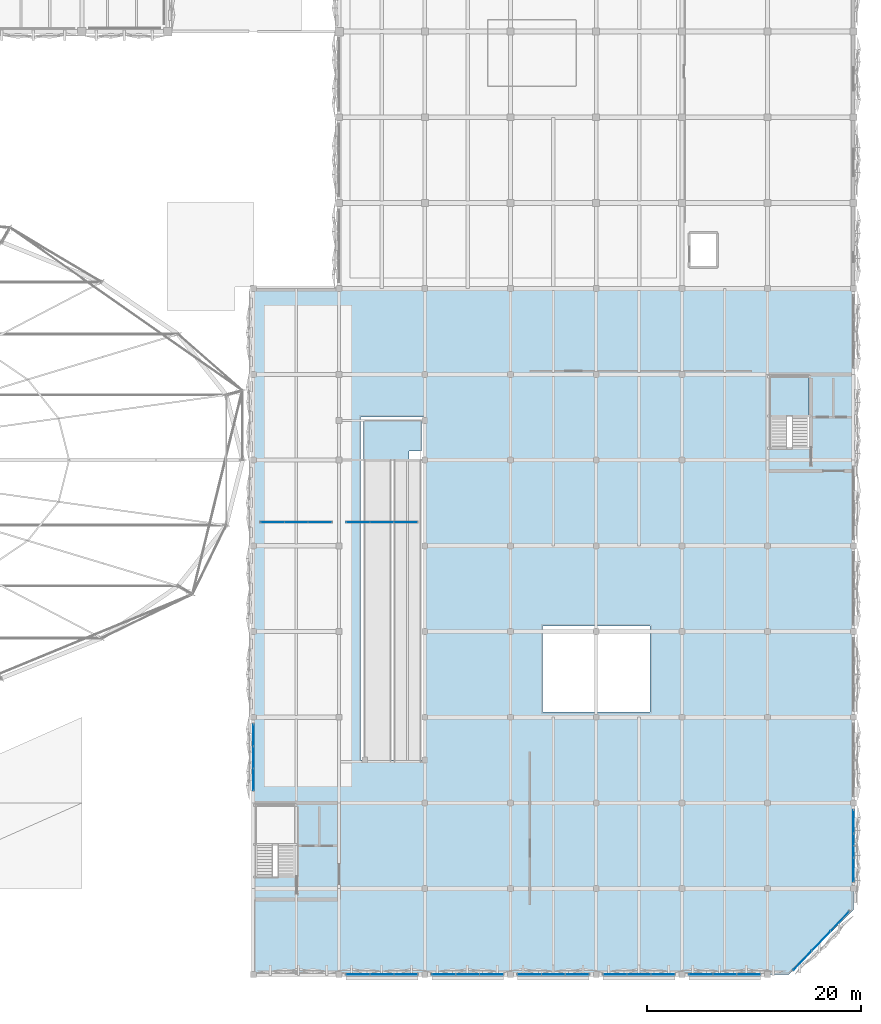
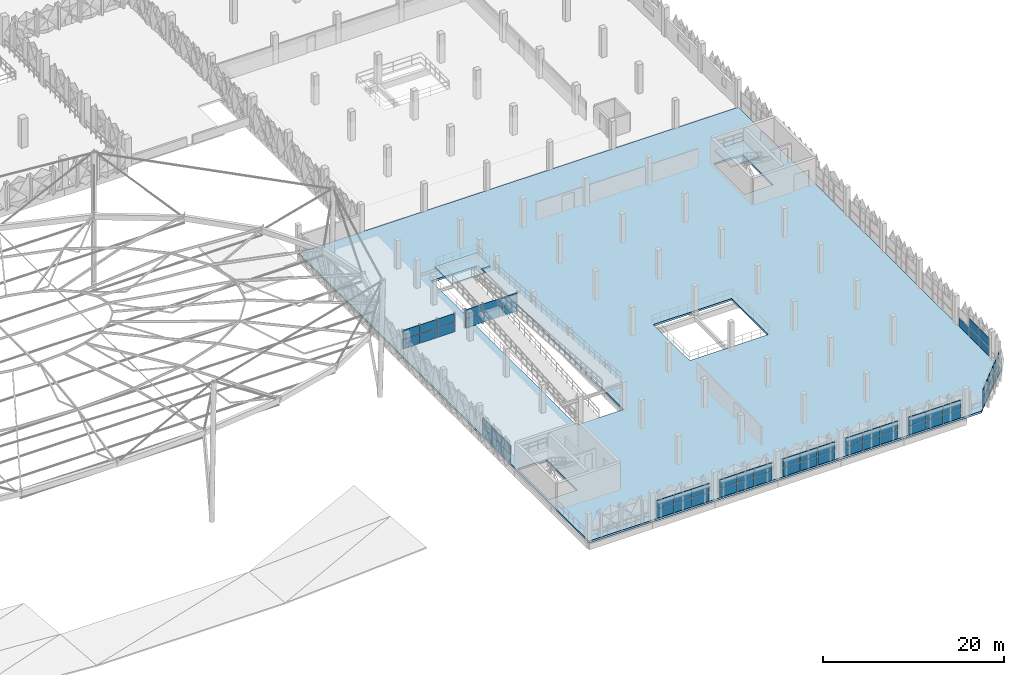
# One storey, part 38 of 96: 59 plates, 3 slabs, 12 elements without a shape of their own.
"""IFC4 building model written with IfcOpenShell, lengths in metres."""

from ifc_helpers import new_model, si_unit, derived_unit, direction, frame, origin, origin_2d, place, context, subcontext, project, spatial, polyline, rectangle, outline, extrude, material, layer, layer_set, type_object, element, aggregate, save


model = new_model("IFC4")

# Units and contexts
model_context = context("Model", 3, precision=1e-05, world=origin(), true_north=direction((0.0, 1.0)))
body_context = subcontext(model_context, "Body", "Model", "MODEL_VIEW")
ifc_project = project(units=[si_unit("LENGTHUNIT", "METRE"), si_unit("AREAUNIT", "SQUARE_METRE"), si_unit("VOLUMEUNIT", "CUBIC_METRE"), si_unit("PLANEANGLEUNIT", "RADIAN"), si_unit("MASSUNIT", "GRAM", prefix="KILO"), si_unit("THERMODYNAMICTEMPERATUREUNIT", "KELVIN"), derived_unit("THERMALTRANSMITTANCEUNIT", [(si_unit("POWERUNIT", "WATT"), 1), (si_unit("AREAUNIT", "SQUARE_METRE"), -1), (si_unit("THERMODYNAMICTEMPERATUREUNIT", "KELVIN"), -1)])], contexts=[model_context])

# Site, building, storey
site_placement = place(None, origin())
site = spatial("IfcSite", under=ifc_project, at=site_placement, CompositionType="ELEMENT")
building_placement = place(site_placement, origin())
building = spatial("IfcBuilding", under=site, at=building_placement, Name="Haiyu Intermodal Mobility Hub", CompositionType="ELEMENT")
storey_placement = place(building_placement, frame((0.0, 0.0, 9.5)))
storey = spatial("IfcBuildingStorey", under=building, at=storey_placement, Name="L02", CompositionType="ELEMENT", Elevation=9.5)

# Curtain wall, plates
ifc_material_1 = material(Name="Low-e laminated insulating glass", Category="glass")
ifc_layer_1 = layer(ifc_material_1, 0.2099609375)
ifc_layer_set_1 = layer_set([ifc_layer_1], Name="Low-e laminated insulating glass")
curtain_wall_type_1 = type_object("IfcCurtainWallType", Name="CW-CW04", PredefinedType="NOTDEFINED", material=ifc_layer_set_1)
curtain_wall_1_placement = place(storey_placement, origin())
curtain_wall_1 = element("IfcCurtainWall", 1, at=curtain_wall_1_placement, inside=storey, type_object=curtain_wall_type_1, Name="Curtain Wall CW-V5S-L02-106", PredefinedType="NOTDEFINED")
ifc_material_2 = material(Name="Anodised aluminium 6063-T6", Category="aluminium")
ifc_layer_2 = layer(ifc_material_2, 0.0419921875)
ifc_layer_set_2 = layer_set([ifc_layer_2], Name="Anodised aluminium 6063-T6")
plate_type_1 = type_object("IfcPlateType", Name="PLT-CP02", PredefinedType="CURTAIN_PANEL", material=ifc_layer_set_2)
plate_1_placement = place(storey_placement, frame((163.77294921875, 16.0, 0.03515625), z_axis=(0.0, 0.0, 1.0), x_axis=(1.0, 0.0, 0.0)))
plate_1 = element("IfcPlate", 2, at=plate_1_placement, type_object=plate_type_1, Name="CW-V5S-L02-106-PN01", PredefinedType="CURTAIN_PANEL", context=body_context, shape_type="SweptSolid", body=[
    extrude(rectangle(XDim=2.136962890625, YDim=0.0419921875, at=origin_2d()), origin(), (0.0, 0.0, 1.0), 1.169921875),
])
plate_2_placement = place(storey_placement, frame((166.0, 16.0, 0.03515625), z_axis=(0.0, 0.0, 1.0), x_axis=(1.0, 0.0, 0.0)))
plate_2 = element("IfcPlate", 3, at=plate_2_placement, type_object=plate_type_1, Name="CW-V5S-L02-106-PN03", PredefinedType="CURTAIN_PANEL", context=body_context, shape_type="SweptSolid", body=[
    extrude(rectangle(XDim=2.136962890625, YDim=0.0419921875, at=origin_2d()), origin(), (0.0, 0.0, 1.0), 1.169921875),
])
plate_3_placement = place(storey_placement, frame((168.22705078125, 16.0, 0.03515625), z_axis=(0.0, 0.0, 1.0), x_axis=(1.0, 0.0, 0.0)))
plate_3 = element("IfcPlate", 4, at=plate_3_placement, type_object=plate_type_1, Name="CW-V5S-L02-106-PN05", PredefinedType="CURTAIN_PANEL", context=body_context, shape_type="SweptSolid", body=[
    extrude(rectangle(XDim=2.136962890625, YDim=0.0419921875, at=origin_2d()), origin(), (0.0, 0.0, 1.0), 1.169921875),
])

curtain_wall_2_placement = place(storey_placement, origin())
curtain_wall_2 = element("IfcCurtainWall", 5, at=curtain_wall_2_placement, inside=storey, type_object=curtain_wall_type_1, Name="Curtain Wall CW-V5S-L02-107", PredefinedType="NOTDEFINED")
plate_4_placement = place(storey_placement, frame((171.77294921875, 16.0, 0.03515625), z_axis=(0.0, 0.0, 1.0), x_axis=(1.0, 0.0, 0.0)))
plate_4 = element("IfcPlate", 6, at=plate_4_placement, type_object=plate_type_1, Name="CW-V5S-L02-107-PN01", PredefinedType="CURTAIN_PANEL", context=body_context, shape_type="SweptSolid", body=[
    extrude(rectangle(XDim=2.136962890625, YDim=0.0419921875, at=origin_2d()), origin(), (0.0, 0.0, 1.0), 1.169921875),
])
plate_5_placement = place(storey_placement, frame((174.0, 16.0, 0.03515625), z_axis=(0.0, 0.0, 1.0), x_axis=(1.0, 0.0, 0.0)))
plate_5 = element("IfcPlate", 7, at=plate_5_placement, type_object=plate_type_1, Name="CW-V5S-L02-107-PN03", PredefinedType="CURTAIN_PANEL", context=body_context, shape_type="SweptSolid", body=[
    extrude(rectangle(XDim=2.136962890625, YDim=0.0419921875, at=origin_2d()), origin(), (0.0, 0.0, 1.0), 1.169921875),
])
plate_6_placement = place(storey_placement, frame((176.22705078125, 16.0, 0.03515625), z_axis=(0.0, 0.0, 1.0), x_axis=(1.0, 0.0, 0.0)))
plate_6 = element("IfcPlate", 8, at=plate_6_placement, type_object=plate_type_1, Name="CW-V5S-L02-107-PN05", PredefinedType="CURTAIN_PANEL", context=body_context, shape_type="SweptSolid", body=[
    extrude(rectangle(XDim=2.136962890625, YDim=0.0419921875, at=origin_2d()), origin(), (0.0, 0.0, 1.0), 1.169921875),
])

curtain_wall_3_placement = place(storey_placement, origin())
curtain_wall_3 = element("IfcCurtainWall", 9, at=curtain_wall_3_placement, inside=storey, type_object=curtain_wall_type_1, Name="Curtain Wall CW-V5S-L02-108", PredefinedType="NOTDEFINED")
plate_7_placement = place(storey_placement, frame((179.77294921875, 16.0, 0.03515625), z_axis=(0.0, 0.0, 1.0), x_axis=(1.0, 0.0, 0.0)))
plate_7 = element("IfcPlate", 10, at=plate_7_placement, type_object=plate_type_1, Name="CW-V5S-L02-108-PN01", PredefinedType="CURTAIN_PANEL", context=body_context, shape_type="SweptSolid", body=[
    extrude(rectangle(XDim=2.136962890625, YDim=0.0419921875, at=origin_2d()), origin(), (0.0, 0.0, 1.0), 1.169921875),
])
plate_8_placement = place(storey_placement, frame((182.0, 16.0, 0.03515625), z_axis=(0.0, 0.0, 1.0), x_axis=(1.0, 0.0, 0.0)))
plate_8 = element("IfcPlate", 11, at=plate_8_placement, type_object=plate_type_1, Name="CW-V5S-L02-108-PN03", PredefinedType="CURTAIN_PANEL", context=body_context, shape_type="SweptSolid", body=[
    extrude(rectangle(XDim=2.136962890625, YDim=0.0419921875, at=origin_2d()), origin(), (0.0, 0.0, 1.0), 1.169921875),
])
plate_9_placement = place(storey_placement, frame((184.22705078125, 16.0, 0.03515625), z_axis=(0.0, 0.0, 1.0), x_axis=(1.0, 0.0, 0.0)))
plate_9 = element("IfcPlate", 12, at=plate_9_placement, type_object=plate_type_1, Name="CW-V5S-L02-108-PN05", PredefinedType="CURTAIN_PANEL", context=body_context, shape_type="SweptSolid", body=[
    extrude(rectangle(XDim=2.136962890625, YDim=0.0419921875, at=origin_2d()), origin(), (0.0, 0.0, 1.0), 1.169921875),
])

curtain_wall_4_placement = place(storey_placement, origin())
curtain_wall_4 = element("IfcCurtainWall", 13, at=curtain_wall_4_placement, inside=storey, type_object=curtain_wall_type_1, Name="Curtain Wall CW-V5S-L02-109", PredefinedType="NOTDEFINED")
plate_10_placement = place(storey_placement, frame((187.77294921875, 16.0, 0.03515625), z_axis=(0.0, 0.0, 1.0), x_axis=(1.0, 0.0, 0.0)))
plate_10 = element("IfcPlate", 14, at=plate_10_placement, type_object=plate_type_1, Name="CW-V5S-L02-109-PN01", PredefinedType="CURTAIN_PANEL", context=body_context, shape_type="SweptSolid", body=[
    extrude(rectangle(XDim=2.136962890625, YDim=0.0419921875, at=origin_2d()), origin(), (0.0, 0.0, 1.0), 1.169921875),
])
plate_11_placement = place(storey_placement, frame((190.0, 16.0, 0.03515625), z_axis=(0.0, 0.0, 1.0), x_axis=(1.0, 0.0, 0.0)))
plate_11 = element("IfcPlate", 15, at=plate_11_placement, type_object=plate_type_1, Name="CW-V5S-L02-109-PN03", PredefinedType="CURTAIN_PANEL", context=body_context, shape_type="SweptSolid", body=[
    extrude(rectangle(XDim=2.136962890625, YDim=0.0419921875, at=origin_2d()), origin(), (0.0, 0.0, 1.0), 1.169921875),
])
plate_12_placement = place(storey_placement, frame((192.22705078125, 16.0, 0.03515625), z_axis=(0.0, 0.0, 1.0), x_axis=(1.0, 0.0, 0.0)))
plate_12 = element("IfcPlate", 16, at=plate_12_placement, type_object=plate_type_1, Name="CW-V5S-L02-109-PN05", PredefinedType="CURTAIN_PANEL", context=body_context, shape_type="SweptSolid", body=[
    extrude(rectangle(XDim=2.136962890625, YDim=0.0419921875, at=origin_2d()), origin(), (0.0, 0.0, 1.0), 1.169921875),
])

curtain_wall_5_placement = place(storey_placement, origin())
curtain_wall_5 = element("IfcCurtainWall", 17, at=curtain_wall_5_placement, inside=storey, type_object=curtain_wall_type_1, Name="Curtain Wall CW-V5S-L02-110", PredefinedType="NOTDEFINED")
plate_13_placement = place(storey_placement, frame((195.77294921875, 16.0, 0.03515625), z_axis=(0.0, 0.0, 1.0), x_axis=(1.0, 0.0, 0.0)))
plate_13 = element("IfcPlate", 18, at=plate_13_placement, type_object=plate_type_1, Name="CW-V5S-L02-110-PN01", PredefinedType="CURTAIN_PANEL", context=body_context, shape_type="SweptSolid", body=[
    extrude(rectangle(XDim=2.136962890625, YDim=0.0419921875, at=origin_2d()), origin(), (0.0, 0.0, 1.0), 1.169921875),
])
plate_14_placement = place(storey_placement, frame((198.0, 16.0, 0.03515625), z_axis=(0.0, 0.0, 1.0), x_axis=(1.0, 0.0, 0.0)))
plate_14 = element("IfcPlate", 19, at=plate_14_placement, type_object=plate_type_1, Name="CW-V5S-L02-110-PN03", PredefinedType="CURTAIN_PANEL", context=body_context, shape_type="SweptSolid", body=[
    extrude(rectangle(XDim=2.136962890625, YDim=0.0419921875, at=origin_2d()), origin(), (0.0, 0.0, 1.0), 1.169921875),
])
plate_15_placement = place(storey_placement, frame((200.22705078125, 16.0, 0.03515625), z_axis=(0.0, 0.0, 1.0), x_axis=(1.0, 0.0, 0.0)))
plate_15 = element("IfcPlate", 20, at=plate_15_placement, type_object=plate_type_1, Name="CW-V5S-L02-110-PN05", PredefinedType="CURTAIN_PANEL", context=body_context, shape_type="SweptSolid", body=[
    extrude(rectangle(XDim=2.136962890625, YDim=0.0419921875, at=origin_2d()), origin(), (0.0, 0.0, 1.0), 1.169921875),
])

curtain_wall_6_placement = place(storey_placement, origin())
curtain_wall_6 = element("IfcCurtainWall", 21, at=curtain_wall_6_placement, inside=storey, type_object=curtain_wall_type_1, Name="Curtain Wall CW-V5E-L02-111", PredefinedType="NOTDEFINED")
plate_16_placement = place(storey_placement, frame((210.0, 25.77294921875, 0.03515625), z_axis=(0.0, 0.0, 1.0), x_axis=(0.0, 1.0, 0.0)))
plate_16 = element("IfcPlate", 22, at=plate_16_placement, type_object=plate_type_1, Name="CW-V5E-L02-111-PN01", PredefinedType="CURTAIN_PANEL", context=body_context, shape_type="SweptSolid", body=[
    extrude(rectangle(XDim=2.136962890625, YDim=0.0419921875, at=origin_2d()), origin(), (0.0, 0.0, 1.0), 1.169921875),
])
plate_17_placement = place(storey_placement, frame((210.0, 28.0, 0.03515625), z_axis=(0.0, 0.0, 1.0), x_axis=(0.0, 1.0, 0.0)))
plate_17 = element("IfcPlate", 23, at=plate_17_placement, type_object=plate_type_1, Name="CW-V5E-L02-111-PN03", PredefinedType="CURTAIN_PANEL", context=body_context, shape_type="SweptSolid", body=[
    extrude(rectangle(XDim=2.136962890625, YDim=0.0419921875, at=origin_2d()), origin(), (0.0, 0.0, 1.0), 1.169921875),
])
plate_18_placement = place(storey_placement, frame((210.0, 30.22705078125, 0.03515625), z_axis=(0.0, 0.0, 1.0), x_axis=(0.0, 1.0, 0.0)))
plate_18 = element("IfcPlate", 24, at=plate_18_placement, type_object=plate_type_1, Name="CW-V5E-L02-111-PN05", PredefinedType="CURTAIN_PANEL", context=body_context, shape_type="SweptSolid", body=[
    extrude(rectangle(XDim=2.136962890625, YDim=0.0419921875, at=origin_2d()), origin(), (0.0, 0.0, 1.0), 1.169921875),
])

curtain_wall_7_placement = place(storey_placement, origin())
curtain_wall_7 = element("IfcCurtainWall", 25, at=curtain_wall_7_placement, inside=storey, type_object=curtain_wall_type_1, Name="Curtain Wall CW-V5W-L02-117", PredefinedType="NOTDEFINED")
plate_19_placement = place(storey_placement, frame((154.0, 38.31005859375, 0.03515625), z_axis=(0.0, 0.0, 1.0), x_axis=(0.0, -1.0, 0.0)))
plate_19 = element("IfcPlate", 26, at=plate_19_placement, type_object=plate_type_1, Name="CW-V5W-L02-117-PN01", PredefinedType="CURTAIN_PANEL", context=body_context, shape_type="SweptSolid", body=[
    extrude(rectangle(XDim=1.969970703125, YDim=0.0419921875, at=origin_2d()), origin(), (0.0, 0.0, 1.0), 1.169921875),
])
plate_20_placement = place(storey_placement, frame((154.0, 36.25, 0.03515625), z_axis=(0.0, 0.0, 1.0), x_axis=(0.0, -1.0, 0.0)))
plate_20 = element("IfcPlate", 27, at=plate_20_placement, type_object=plate_type_1, Name="CW-V5W-L02-117-PN03", PredefinedType="CURTAIN_PANEL", context=body_context, shape_type="SweptSolid", body=[
    extrude(rectangle(XDim=1.969970703125, YDim=0.0419921875, at=origin_2d()), origin(), (0.0, 0.0, 1.0), 1.169921875),
])
plate_21_placement = place(storey_placement, frame((154.0, 34.18994140625, 0.03515625), z_axis=(0.0, 0.0, 1.0), x_axis=(0.0, -1.0, 0.0)))
plate_21 = element("IfcPlate", 28, at=plate_21_placement, type_object=plate_type_1, Name="CW-V5W-L02-117-PN05", PredefinedType="CURTAIN_PANEL", context=body_context, shape_type="SweptSolid", body=[
    extrude(rectangle(XDim=1.969970703125, YDim=0.0419921875, at=origin_2d()), origin(), (0.0, 0.0, 1.0), 1.169921875),
])

curtain_wall_8_placement = place(storey_placement, origin())
curtain_wall_8 = element("IfcCurtainWall", 29, at=curtain_wall_8_placement, inside=storey, type_object=curtain_wall_type_1, Name="Curtain Wall CW-V5CH-L02-180", PredefinedType="NOTDEFINED")
plate_22_placement = place(storey_placement, frame((205.251953125, 17.2939453125, 0.03515625), z_axis=(0.0, 0.0, 1.0), x_axis=(0.690630691319, 0.723207610723, 0.0)))
plate_22 = element("IfcPlate", 30, at=plate_22_placement, type_object=plate_type_1, Name="CW-V5CH-L02-180-PN01", PredefinedType="CURTAIN_PANEL", context=body_context, shape_type="SweptSolid", body=[
    extrude(rectangle(XDim=2.44091796875, YDim=0.0419921875, at=origin_2d()), origin(), (0.0, 0.0, 1.0), 1.169921875),
])
plate_23_placement = place(storey_placement, frame((207.0, 19.125, 0.03515625), z_axis=(0.0, 0.0, 1.0), x_axis=(0.690630691319, 0.723207610723, 0.0)))
plate_23 = element("IfcPlate", 31, at=plate_23_placement, type_object=plate_type_1, Name="CW-V5CH-L02-180-PN03", PredefinedType="CURTAIN_PANEL", context=body_context, shape_type="SweptSolid", body=[
    extrude(rectangle(XDim=2.44091796875, YDim=0.0419921875, at=origin_2d()), origin(), (0.0, 0.0, 1.0), 1.169921875),
])
plate_24_placement = place(storey_placement, frame((208.748046875, 20.9560546875, 0.03515625), z_axis=(0.0, 0.0, 1.0), x_axis=(0.690630691319, 0.723207610723, 0.0)))
plate_24 = element("IfcPlate", 32, at=plate_24_placement, type_object=plate_type_1, Name="CW-V5CH-L02-180-PN05", PredefinedType="CURTAIN_PANEL", context=body_context, shape_type="SweptSolid", body=[
    extrude(rectangle(XDim=2.44091796875, YDim=0.0419921875, at=origin_2d()), origin(), (0.0, 0.0, 1.0), 1.169921875),
])

ifc_layer_3 = layer(ifc_material_1, 0.179931640625)
ifc_layer_set_3 = layer_set([ifc_layer_3], Name="Low-e laminated insulating glass")
curtain_wall_type_2 = type_object("IfcCurtainWallType", Name="CW-CW06", PredefinedType="NOTDEFINED", material=ifc_layer_set_3)
curtain_wall_9_placement = place(storey_placement, origin())
curtain_wall_9 = element("IfcCurtainWall", 33, at=curtain_wall_9_placement, inside=storey, type_object=curtain_wall_type_2, Name="Curtain Wall CW-INT-05", PredefinedType="NOTDEFINED")
ifc_layer_4 = layer(ifc_material_1, 0.0400390625)
ifc_layer_set_4 = layer_set([ifc_layer_4], Name="Low-e laminated insulating glass")
plate_type_2 = type_object("IfcPlateType", Name="PLT-CP03-INT", PredefinedType="CURTAIN_PANEL", material=ifc_layer_set_4)
plate_25_placement = place(storey_placement, frame((155.79296875, 58.199951171875, 0.035400390625), z_axis=(0.0, 0.0, 1.0), x_axis=(1.0, 0.0, 0.0)))
plate_25 = element("IfcPlate", 34, at=plate_25_placement, type_object=plate_type_2, Name="CW-INT-05-PN01", PredefinedType="CURTAIN_PANEL", context=body_context, shape_type="SweptSolid", body=[
    extrude(rectangle(XDim=2.116943359375, YDim=0.0400390625, at=origin_2d()), origin(), (0.0, 0.0, 1.0), 1.205078125),
])
plate_26_placement = place(storey_placement, frame((155.79296875, 58.199951171875, 1.310546875), z_axis=(0.0, 0.0, 1.0), x_axis=(1.0, 0.0, 0.0)))
plate_26 = element("IfcPlate", 35, at=plate_26_placement, type_object=plate_type_2, Name="CW-INT-05-PN02", PredefinedType="CURTAIN_PANEL", context=body_context, shape_type="SweptSolid", body=[
    extrude(rectangle(XDim=2.116943359375, YDim=0.0400390625, at=origin_2d()), origin(), (0.0, 0.0, 1.0), 1.205078125),
])
plate_27_placement = place(storey_placement, frame((158.0, 58.199951171875, 0.035400390625), z_axis=(0.0, 0.0, 1.0), x_axis=(1.0, 0.0, 0.0)))
plate_27 = element("IfcPlate", 36, at=plate_27_placement, type_object=plate_type_2, Name="CW-INT-05-PN03", PredefinedType="CURTAIN_PANEL", context=body_context, shape_type="SweptSolid", body=[
    extrude(rectangle(XDim=2.116943359375, YDim=0.0400390625, at=origin_2d()), origin(), (0.0, 0.0, 1.0), 1.205078125),
])
plate_28_placement = place(storey_placement, frame((158.0, 58.199951171875, 1.310546875), z_axis=(0.0, 0.0, 1.0), x_axis=(1.0, 0.0, 0.0)))
plate_28 = element("IfcPlate", 37, at=plate_28_placement, type_object=plate_type_2, Name="CW-INT-05-PN04", PredefinedType="CURTAIN_PANEL", context=body_context, shape_type="SweptSolid", body=[
    extrude(rectangle(XDim=2.116943359375, YDim=0.0400390625, at=origin_2d()), origin(), (0.0, 0.0, 1.0), 1.205078125),
])
plate_29_placement = place(storey_placement, frame((160.20703125, 58.199951171875, 0.035400390625), z_axis=(0.0, 0.0, 1.0), x_axis=(1.0, 0.0, 0.0)))
plate_29 = element("IfcPlate", 38, at=plate_29_placement, type_object=plate_type_2, Name="CW-INT-05-PN05", PredefinedType="CURTAIN_PANEL", context=body_context, shape_type="SweptSolid", body=[
    extrude(rectangle(XDim=2.116943359375, YDim=0.0400390625, at=origin_2d()), origin(), (0.0, 0.0, 1.0), 1.205078125),
])
plate_30_placement = place(storey_placement, frame((160.20703125, 58.199951171875, 1.310546875), z_axis=(0.0, 0.0, 1.0), x_axis=(1.0, 0.0, 0.0)))
plate_30 = element("IfcPlate", 39, at=plate_30_placement, type_object=plate_type_2, Name="CW-INT-05-PN06", PredefinedType="CURTAIN_PANEL", context=body_context, shape_type="SweptSolid", body=[
    extrude(rectangle(XDim=2.116943359375, YDim=0.0400390625, at=origin_2d()), origin(), (0.0, 0.0, 1.0), 1.205078125),
])
aggregate(curtain_wall_9, [plate_25, plate_26, plate_27, plate_28, plate_29, plate_30])

curtain_wall_10_placement = place(storey_placement, origin())
curtain_wall_10 = element("IfcCurtainWall", 40, at=curtain_wall_10_placement, inside=storey, type_object=curtain_wall_type_2, Name="Curtain Wall CW-INT-06", PredefinedType="NOTDEFINED")
plate_31_placement = place(storey_placement, frame((163.79296875, 58.199951171875, 0.035400390625), z_axis=(0.0, 0.0, 1.0), x_axis=(1.0, 0.0, 0.0)))
plate_31 = element("IfcPlate", 41, at=plate_31_placement, type_object=plate_type_2, Name="CW-INT-06-PN01", PredefinedType="CURTAIN_PANEL", context=body_context, shape_type="SweptSolid", body=[
    extrude(rectangle(XDim=2.116943359375, YDim=0.0400390625, at=origin_2d()), origin(), (0.0, 0.0, 1.0), 1.205078125),
])
plate_32_placement = place(storey_placement, frame((163.79296875, 58.199951171875, 1.310546875), z_axis=(0.0, 0.0, 1.0), x_axis=(1.0, 0.0, 0.0)))
plate_32 = element("IfcPlate", 42, at=plate_32_placement, type_object=plate_type_2, Name="CW-INT-06-PN02", PredefinedType="CURTAIN_PANEL", context=body_context, shape_type="SweptSolid", body=[
    extrude(rectangle(XDim=2.116943359375, YDim=0.0400390625, at=origin_2d()), origin(), (0.0, 0.0, 1.0), 1.205078125),
])
plate_33_placement = place(storey_placement, frame((166.0, 58.199951171875, 0.035400390625), z_axis=(0.0, 0.0, 1.0), x_axis=(1.0, 0.0, 0.0)))
plate_33 = element("IfcPlate", 43, at=plate_33_placement, type_object=plate_type_2, Name="CW-INT-06-PN03", PredefinedType="CURTAIN_PANEL", context=body_context, shape_type="SweptSolid", body=[
    extrude(rectangle(XDim=2.116943359375, YDim=0.0400390625, at=origin_2d()), origin(), (0.0, 0.0, 1.0), 1.205078125),
])
plate_34_placement = place(storey_placement, frame((166.0, 58.199951171875, 1.310546875), z_axis=(0.0, 0.0, 1.0), x_axis=(1.0, 0.0, 0.0)))
plate_34 = element("IfcPlate", 44, at=plate_34_placement, type_object=plate_type_2, Name="CW-INT-06-PN04", PredefinedType="CURTAIN_PANEL", context=body_context, shape_type="SweptSolid", body=[
    extrude(rectangle(XDim=2.116943359375, YDim=0.0400390625, at=origin_2d()), origin(), (0.0, 0.0, 1.0), 1.205078125),
])
plate_35_placement = place(storey_placement, frame((168.20703125, 58.199951171875, 0.035400390625), z_axis=(0.0, 0.0, 1.0), x_axis=(1.0, 0.0, 0.0)))
plate_35 = element("IfcPlate", 45, at=plate_35_placement, type_object=plate_type_2, Name="CW-INT-06-PN05", PredefinedType="CURTAIN_PANEL", context=body_context, shape_type="SweptSolid", body=[
    extrude(rectangle(XDim=2.116943359375, YDim=0.0400390625, at=origin_2d()), origin(), (0.0, 0.0, 1.0), 1.205078125),
])
plate_36_placement = place(storey_placement, frame((168.20703125, 58.199951171875, 1.310546875), z_axis=(0.0, 0.0, 1.0), x_axis=(1.0, 0.0, 0.0)))
plate_36 = element("IfcPlate", 46, at=plate_36_placement, type_object=plate_type_2, Name="CW-INT-06-PN06", PredefinedType="CURTAIN_PANEL", context=body_context, shape_type="SweptSolid", body=[
    extrude(rectangle(XDim=2.116943359375, YDim=0.0400390625, at=origin_2d()), origin(), (0.0, 0.0, 1.0), 1.205078125),
])
aggregate(curtain_wall_10, [plate_31, plate_32, plate_33, plate_34, plate_35, plate_36])

# Plate
ifc_layer_5 = layer(ifc_material_1, 0.0439453125)
ifc_layer_set_5 = layer_set([ifc_layer_5], Name="Low-e laminated insulating glass")
plate_type_3 = type_object("IfcPlateType", Name="PLT-CP04", PredefinedType="CURTAIN_PANEL", material=ifc_layer_set_5)
plate_37_placement = place(storey_placement, frame((163.77294921875, 16.0, 1.275146484375), z_axis=(0.0, 0.0, 1.0), x_axis=(1.0, 0.0, 0.0)))
plate_37 = element("IfcPlate", 47, at=plate_37_placement, type_object=plate_type_3, Name="CW-V5S-L02-106-PN02", PredefinedType="CURTAIN_PANEL", context=body_context, shape_type="SweptSolid", body=[
    extrude(rectangle(XDim=2.136962890625, YDim=0.0439453125, at=origin_2d()), origin(), (0.0, 0.0, 1.0), 1.169921875),
])

plate_38_placement = place(storey_placement, frame((166.0, 16.0, 1.275146484375), z_axis=(0.0, 0.0, 1.0), x_axis=(1.0, 0.0, 0.0)))
plate_38 = element("IfcPlate", 48, at=plate_38_placement, type_object=plate_type_3, Name="CW-V5S-L02-106-PN04", PredefinedType="CURTAIN_PANEL", context=body_context, shape_type="SweptSolid", body=[
    extrude(rectangle(XDim=2.136962890625, YDim=0.0439453125, at=origin_2d()), origin(), (0.0, 0.0, 1.0), 1.169921875),
])

plate_39_placement = place(storey_placement, frame((168.22705078125, 16.0, 1.275146484375), z_axis=(0.0, 0.0, 1.0), x_axis=(1.0, 0.0, 0.0)))
plate_39 = element("IfcPlate", 49, at=plate_39_placement, type_object=plate_type_3, Name="CW-V5S-L02-106-PN06", PredefinedType="CURTAIN_PANEL", context=body_context, shape_type="SweptSolid", body=[
    extrude(rectangle(XDim=2.136962890625, YDim=0.0439453125, at=origin_2d()), origin(), (0.0, 0.0, 1.0), 1.169921875),
])

aggregate(curtain_wall_1, [plate_1, plate_37, plate_2, plate_38, plate_3, plate_39])

plate_40_placement = place(storey_placement, frame((171.77294921875, 16.0, 1.275146484375), z_axis=(0.0, 0.0, 1.0), x_axis=(1.0, 0.0, 0.0)))
plate_40 = element("IfcPlate", 50, at=plate_40_placement, type_object=plate_type_3, Name="CW-V5S-L02-107-PN02", PredefinedType="CURTAIN_PANEL", context=body_context, shape_type="SweptSolid", body=[
    extrude(rectangle(XDim=2.136962890625, YDim=0.0439453125, at=origin_2d()), origin(), (0.0, 0.0, 1.0), 1.169921875),
])

plate_41_placement = place(storey_placement, frame((174.0, 16.0, 1.275146484375), z_axis=(0.0, 0.0, 1.0), x_axis=(1.0, 0.0, 0.0)))
plate_41 = element("IfcPlate", 51, at=plate_41_placement, type_object=plate_type_3, Name="CW-V5S-L02-107-PN04", PredefinedType="CURTAIN_PANEL", context=body_context, shape_type="SweptSolid", body=[
    extrude(rectangle(XDim=2.136962890625, YDim=0.0439453125, at=origin_2d()), origin(), (0.0, 0.0, 1.0), 1.169921875),
])

plate_42_placement = place(storey_placement, frame((176.22705078125, 16.0, 1.275146484375), z_axis=(0.0, 0.0, 1.0), x_axis=(1.0, 0.0, 0.0)))
plate_42 = element("IfcPlate", 52, at=plate_42_placement, type_object=plate_type_3, Name="CW-V5S-L02-107-PN06", PredefinedType="CURTAIN_PANEL", context=body_context, shape_type="SweptSolid", body=[
    extrude(rectangle(XDim=2.136962890625, YDim=0.0439453125, at=origin_2d()), origin(), (0.0, 0.0, 1.0), 1.169921875),
])

aggregate(curtain_wall_2, [plate_4, plate_40, plate_5, plate_41, plate_6, plate_42])

plate_43_placement = place(storey_placement, frame((179.77294921875, 16.0, 1.275146484375), z_axis=(0.0, 0.0, 1.0), x_axis=(1.0, 0.0, 0.0)))
plate_43 = element("IfcPlate", 53, at=plate_43_placement, type_object=plate_type_3, Name="CW-V5S-L02-108-PN02", PredefinedType="CURTAIN_PANEL", context=body_context, shape_type="SweptSolid", body=[
    extrude(rectangle(XDim=2.136962890625, YDim=0.0439453125, at=origin_2d()), origin(), (0.0, 0.0, 1.0), 1.169921875),
])

plate_44_placement = place(storey_placement, frame((182.0, 16.0, 1.275146484375), z_axis=(0.0, 0.0, 1.0), x_axis=(1.0, 0.0, 0.0)))
plate_44 = element("IfcPlate", 54, at=plate_44_placement, type_object=plate_type_3, Name="CW-V5S-L02-108-PN04", PredefinedType="CURTAIN_PANEL", context=body_context, shape_type="SweptSolid", body=[
    extrude(rectangle(XDim=2.136962890625, YDim=0.0439453125, at=origin_2d()), origin(), (0.0, 0.0, 1.0), 1.169921875),
])

plate_45_placement = place(storey_placement, frame((184.22705078125, 16.0, 1.275146484375), z_axis=(0.0, 0.0, 1.0), x_axis=(1.0, 0.0, 0.0)))
plate_45 = element("IfcPlate", 55, at=plate_45_placement, type_object=plate_type_3, Name="CW-V5S-L02-108-PN06", PredefinedType="CURTAIN_PANEL", context=body_context, shape_type="SweptSolid", body=[
    extrude(rectangle(XDim=2.136962890625, YDim=0.0439453125, at=origin_2d()), origin(), (0.0, 0.0, 1.0), 1.169921875),
])

aggregate(curtain_wall_3, [plate_7, plate_43, plate_8, plate_44, plate_9, plate_45])

plate_46_placement = place(storey_placement, frame((187.77294921875, 16.0, 1.275146484375), z_axis=(0.0, 0.0, 1.0), x_axis=(1.0, 0.0, 0.0)))
plate_46 = element("IfcPlate", 56, at=plate_46_placement, type_object=plate_type_3, Name="CW-V5S-L02-109-PN02", PredefinedType="CURTAIN_PANEL", context=body_context, shape_type="SweptSolid", body=[
    extrude(rectangle(XDim=2.136962890625, YDim=0.0439453125, at=origin_2d()), origin(), (0.0, 0.0, 1.0), 1.169921875),
])

plate_47_placement = place(storey_placement, frame((190.0, 16.0, 1.275146484375), z_axis=(0.0, 0.0, 1.0), x_axis=(1.0, 0.0, 0.0)))
plate_47 = element("IfcPlate", 57, at=plate_47_placement, type_object=plate_type_3, Name="CW-V5S-L02-109-PN04", PredefinedType="CURTAIN_PANEL", context=body_context, shape_type="SweptSolid", body=[
    extrude(rectangle(XDim=2.136962890625, YDim=0.0439453125, at=origin_2d()), origin(), (0.0, 0.0, 1.0), 1.169921875),
])

plate_48_placement = place(storey_placement, frame((192.22705078125, 16.0, 1.275146484375), z_axis=(0.0, 0.0, 1.0), x_axis=(1.0, 0.0, 0.0)))
plate_48 = element("IfcPlate", 58, at=plate_48_placement, type_object=plate_type_3, Name="CW-V5S-L02-109-PN06", PredefinedType="CURTAIN_PANEL", context=body_context, shape_type="SweptSolid", body=[
    extrude(rectangle(XDim=2.136962890625, YDim=0.0439453125, at=origin_2d()), origin(), (0.0, 0.0, 1.0), 1.169921875),
])

aggregate(curtain_wall_4, [plate_10, plate_46, plate_11, plate_47, plate_12, plate_48])

plate_49_placement = place(storey_placement, frame((195.77294921875, 16.0, 1.275146484375), z_axis=(0.0, 0.0, 1.0), x_axis=(1.0, 0.0, 0.0)))
plate_49 = element("IfcPlate", 59, at=plate_49_placement, type_object=plate_type_3, Name="CW-V5S-L02-110-PN02", PredefinedType="CURTAIN_PANEL", context=body_context, shape_type="SweptSolid", body=[
    extrude(rectangle(XDim=2.136962890625, YDim=0.0439453125, at=origin_2d()), origin(), (0.0, 0.0, 1.0), 1.169921875),
])

plate_50_placement = place(storey_placement, frame((198.0, 16.0, 1.275146484375), z_axis=(0.0, 0.0, 1.0), x_axis=(1.0, 0.0, 0.0)))
plate_50 = element("IfcPlate", 60, at=plate_50_placement, type_object=plate_type_3, Name="CW-V5S-L02-110-PN04", PredefinedType="CURTAIN_PANEL", context=body_context, shape_type="SweptSolid", body=[
    extrude(rectangle(XDim=2.136962890625, YDim=0.0439453125, at=origin_2d()), origin(), (0.0, 0.0, 1.0), 1.169921875),
])

plate_51_placement = place(storey_placement, frame((200.22705078125, 16.0, 1.275146484375), z_axis=(0.0, 0.0, 1.0), x_axis=(1.0, 0.0, 0.0)))
plate_51 = element("IfcPlate", 61, at=plate_51_placement, type_object=plate_type_3, Name="CW-V5S-L02-110-PN06", PredefinedType="CURTAIN_PANEL", context=body_context, shape_type="SweptSolid", body=[
    extrude(rectangle(XDim=2.136962890625, YDim=0.0439453125, at=origin_2d()), origin(), (0.0, 0.0, 1.0), 1.169921875),
])

aggregate(curtain_wall_5, [plate_13, plate_49, plate_14, plate_50, plate_15, plate_51])

plate_52_placement = place(storey_placement, frame((210.0, 25.77294921875, 1.275146484375), z_axis=(0.0, 0.0, 1.0), x_axis=(0.0, 1.0, 0.0)))
plate_52 = element("IfcPlate", 62, at=plate_52_placement, type_object=plate_type_3, Name="CW-V5E-L02-111-PN02", PredefinedType="CURTAIN_PANEL", context=body_context, shape_type="SweptSolid", body=[
    extrude(rectangle(XDim=2.136962890625, YDim=0.0439453125, at=origin_2d()), origin(), (0.0, 0.0, 1.0), 1.169921875),
])

plate_53_placement = place(storey_placement, frame((210.0, 28.0, 1.275146484375), z_axis=(0.0, 0.0, 1.0), x_axis=(0.0, 1.0, 0.0)))
plate_53 = element("IfcPlate", 63, at=plate_53_placement, type_object=plate_type_3, Name="CW-V5E-L02-111-PN04", PredefinedType="CURTAIN_PANEL", context=body_context, shape_type="SweptSolid", body=[
    extrude(rectangle(XDim=2.136962890625, YDim=0.0439453125, at=origin_2d()), origin(), (0.0, 0.0, 1.0), 1.169921875),
])

aggregate(curtain_wall_6, [plate_16, plate_52, plate_17, plate_53, plate_18])

plate_54_placement = place(storey_placement, frame((154.0, 38.31005859375, 1.275146484375), z_axis=(0.0, 0.0, 1.0), x_axis=(0.0, -1.0, 0.0)))
plate_54 = element("IfcPlate", 64, at=plate_54_placement, type_object=plate_type_3, Name="CW-V5W-L02-117-PN02", PredefinedType="CURTAIN_PANEL", context=body_context, shape_type="SweptSolid", body=[
    extrude(rectangle(XDim=1.969970703125, YDim=0.0439453125, at=origin_2d()), origin(), (0.0, 0.0, 1.0), 1.169921875),
])

plate_55_placement = place(storey_placement, frame((154.0, 36.25, 1.275146484375), z_axis=(0.0, 0.0, 1.0), x_axis=(0.0, -1.0, 0.0)))
plate_55 = element("IfcPlate", 65, at=plate_55_placement, type_object=plate_type_3, Name="CW-V5W-L02-117-PN04", PredefinedType="CURTAIN_PANEL", context=body_context, shape_type="SweptSolid", body=[
    extrude(rectangle(XDim=1.969970703125, YDim=0.0439453125, at=origin_2d()), origin(), (0.0, 0.0, 1.0), 1.169921875),
])

plate_56_placement = place(storey_placement, frame((154.0, 34.18994140625, 1.275146484375), z_axis=(0.0, 0.0, 1.0), x_axis=(0.0, -1.0, 0.0)))
plate_56 = element("IfcPlate", 66, at=plate_56_placement, type_object=plate_type_3, Name="CW-V5W-L02-117-PN06", PredefinedType="CURTAIN_PANEL", context=body_context, shape_type="SweptSolid", body=[
    extrude(rectangle(XDim=1.969970703125, YDim=0.0439453125, at=origin_2d()), origin(), (0.0, 0.0, 1.0), 1.169921875),
])

aggregate(curtain_wall_7, [plate_19, plate_54, plate_20, plate_55, plate_21, plate_56])

plate_57_placement = place(storey_placement, frame((205.251953125, 17.2939453125, 1.275146484375), z_axis=(0.0, 0.0, 1.0), x_axis=(0.690630691319, 0.723207610723, 0.0)))
plate_57 = element("IfcPlate", 67, at=plate_57_placement, type_object=plate_type_3, Name="CW-V5CH-L02-180-PN02", PredefinedType="CURTAIN_PANEL", context=body_context, shape_type="SweptSolid", body=[
    extrude(rectangle(XDim=2.44091796875, YDim=0.0439453125, at=origin_2d()), origin(), (0.0, 0.0, 1.0), 1.169921875),
])

plate_58_placement = place(storey_placement, frame((207.0, 19.125, 1.275146484375), z_axis=(0.0, 0.0, 1.0), x_axis=(0.690630691319, 0.723207610723, 0.0)))
plate_58 = element("IfcPlate", 68, at=plate_58_placement, type_object=plate_type_3, Name="CW-V5CH-L02-180-PN04", PredefinedType="CURTAIN_PANEL", context=body_context, shape_type="SweptSolid", body=[
    extrude(rectangle(XDim=2.44091796875, YDim=0.0439453125, at=origin_2d()), origin(), (0.0, 0.0, 1.0), 1.169921875),
])

plate_59_placement = place(storey_placement, frame((208.748046875, 20.9560546875, 1.275146484375), z_axis=(0.0, 0.0, 1.0), x_axis=(0.690630691319, 0.723207610723, 0.0)))
plate_59 = element("IfcPlate", 69, at=plate_59_placement, type_object=plate_type_3, Name="CW-V5CH-L02-180-PN06", PredefinedType="CURTAIN_PANEL", context=body_context, shape_type="SweptSolid", body=[
    extrude(rectangle(XDim=2.44091796875, YDim=0.0439453125, at=origin_2d()), origin(), (0.0, 0.0, 1.0), 1.169921875),
])

aggregate(curtain_wall_8, [plate_22, plate_57, plate_23, plate_58, plate_24, plate_59])

# Slab
ifc_material_3 = material(Name="Concrete C40", Category="concrete")
ifc_layer_6 = layer(ifc_material_3, 0.199951171875)
ifc_layer_set_6 = layer_set([ifc_layer_6], Name="Concrete C40")
slab_type_1 = type_object("IfcSlabType", Name="SLB-SL07", PredefinedType="FLOOR", material=ifc_layer_set_6)
slab_1_placement = place(storey_placement, frame((0.0, 0.0, -0.260009765625)))
element("IfcSlab", 70, at=slab_1_placement, inside=storey, type_object=slab_type_1, Name="L02 Bicycle & Shared-Mobility Floor Slab", PredefinedType="FLOOR", context=body_context, shape_type="SweptSolid", body=[
    extrude(outline(polyline([(154.02001953125, 16.0), (204.0, 16.0), (210.0, 22.0), (210.0, 79.97998046875), (154.02001953125, 79.97998046875), (154.02001953125, 16.0)]), holes=[polyline([(154.219970703125, 25.14990234375), (157.85009765625, 25.14990234375), (157.85009765625, 31.949951171875), (154.219970703125, 31.949951171875), (154.219970703125, 25.14990234375)]), polyline([(202.219970703125, 65.14990234375), (205.85009765625, 65.14990234375), (205.85009765625, 71.949951171875), (202.219970703125, 71.949951171875), (202.219970703125, 65.14990234375)]), polyline([(164.0, 36.0), (170.0, 36.0), (170.0, 68.0), (164.0, 68.0), (164.0, 36.0)]), polyline([(181.0, 40.5), (191.0, 40.5), (191.0, 48.5), (181.0, 48.5), (181.0, 40.5)])]), origin(), (0.0, 0.0, 1.0), 0.260009765625),
])

# Ramp, slab
ifc_layer_7 = layer(ifc_material_3, 0.260009765625)
ifc_layer_set_7 = layer_set([ifc_layer_7], Name="Concrete C40")
ramp_type = type_object("IfcRampType", Name="RMP-RM02", PredefinedType="STRAIGHT_RUN_RAMP", material=ifc_layer_set_7)
ramp_placement = place(storey_placement, origin())
ramp = element("IfcRamp", 71, at=ramp_placement, inside=storey, type_object=ramp_type, Name="Bicycle Ramp L02", PredefinedType="STRAIGHT_RUN_RAMP")
ifc_layer_8 = layer(ifc_material_3, 0.2099609375)
ifc_layer_set_8 = layer_set([ifc_layer_8], Name="Concrete C40")
slab_type_2 = type_object("IfcSlabType", Name="SLB-SL13", PredefinedType="LANDING", material=ifc_layer_set_8)
slab_2_placement = place(storey_placement, frame((0.0, 0.0, 1.739990234375)))
slab_2 = element("IfcSlab", 72, at=slab_2_placement, type_object=slab_type_2, Name="RMP-BIKE-L02-LND", PredefinedType="LANDING", context=body_context, shape_type="SweptSolid", body=[
    extrude(outline(polyline([(164.300048828125, 64.0), (168.511962890625, 64.0), (168.511962890625, 64.8359375), (169.699951171875, 64.8359375), (169.699951171875, 67.800048828125), (164.300048828125, 67.800048828125), (164.300048828125, 64.0)])), origin(), (0.0, 0.0, 1.0), 0.2099609375),
])
aggregate(ramp, [slab_2])

# Stair, slab
stair_type = type_object("IfcStairType", Name="STR-ST05", PredefinedType="HALF_TURN_STAIR", material=ifc_material_3)
stair_placement = place(storey_placement, origin())
stair = element("IfcStair", 73, at=stair_placement, inside=storey, type_object=stair_type, Name="Exit Stair ST03 L02", PredefinedType="HALF_TURN_STAIR")
slab_3_placement = place(storey_placement, frame((0.0, 0.0, 1.739990234375)))
slab_3 = element("IfcSlab", 74, at=slab_3_placement, type_object=slab_type_2, Name="Stair Half-Landing STR-C9-L02-LND", PredefinedType="LANDING", context=body_context, shape_type="SweptSolid", body=[
    extrude(outline(polyline([(202.219970703125, 68.1298828125), (205.8701171875, 68.1298828125), (205.8701171875, 71.780029296875), (202.219970703125, 71.780029296875), (202.219970703125, 68.1298828125)])), origin(), (0.0, 0.0, 1.0), 0.2099609375),
])
aggregate(stair, [slab_3])

save(model, "model.ifc")
